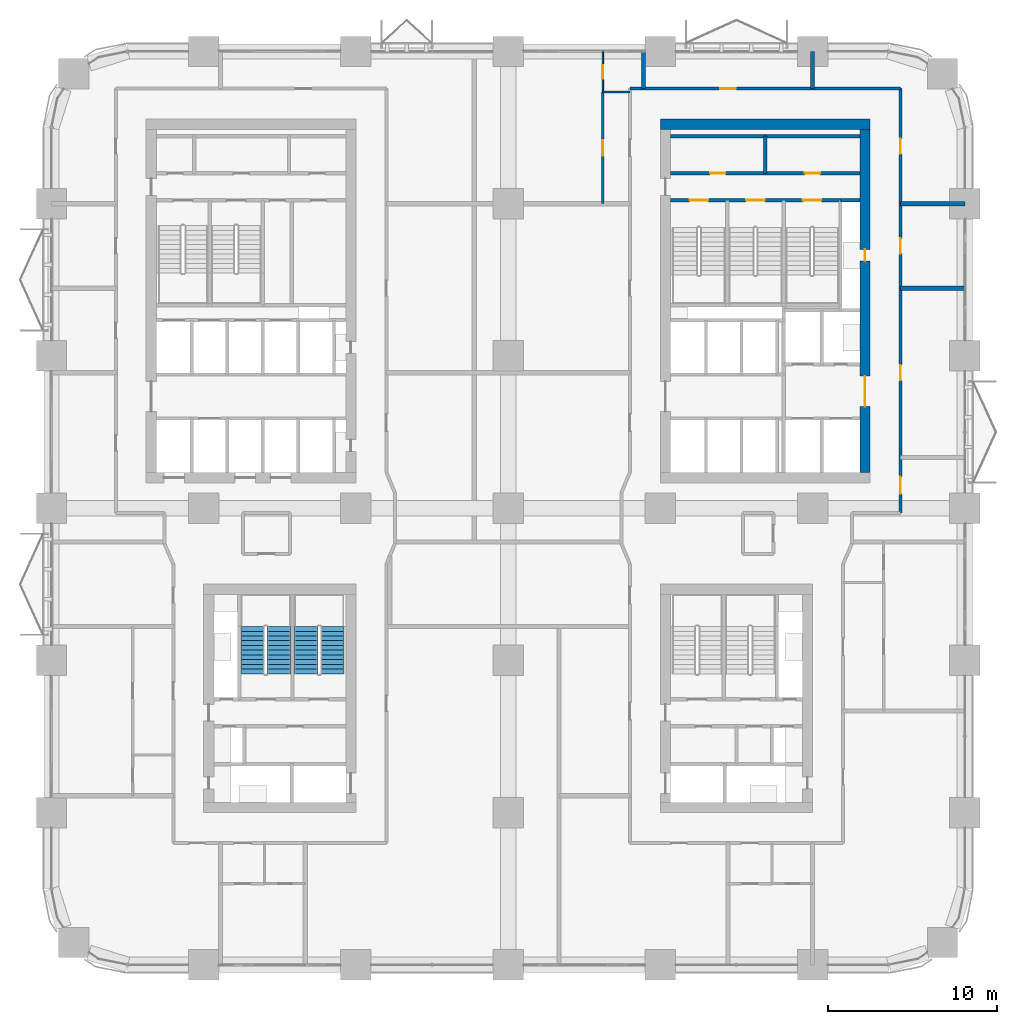
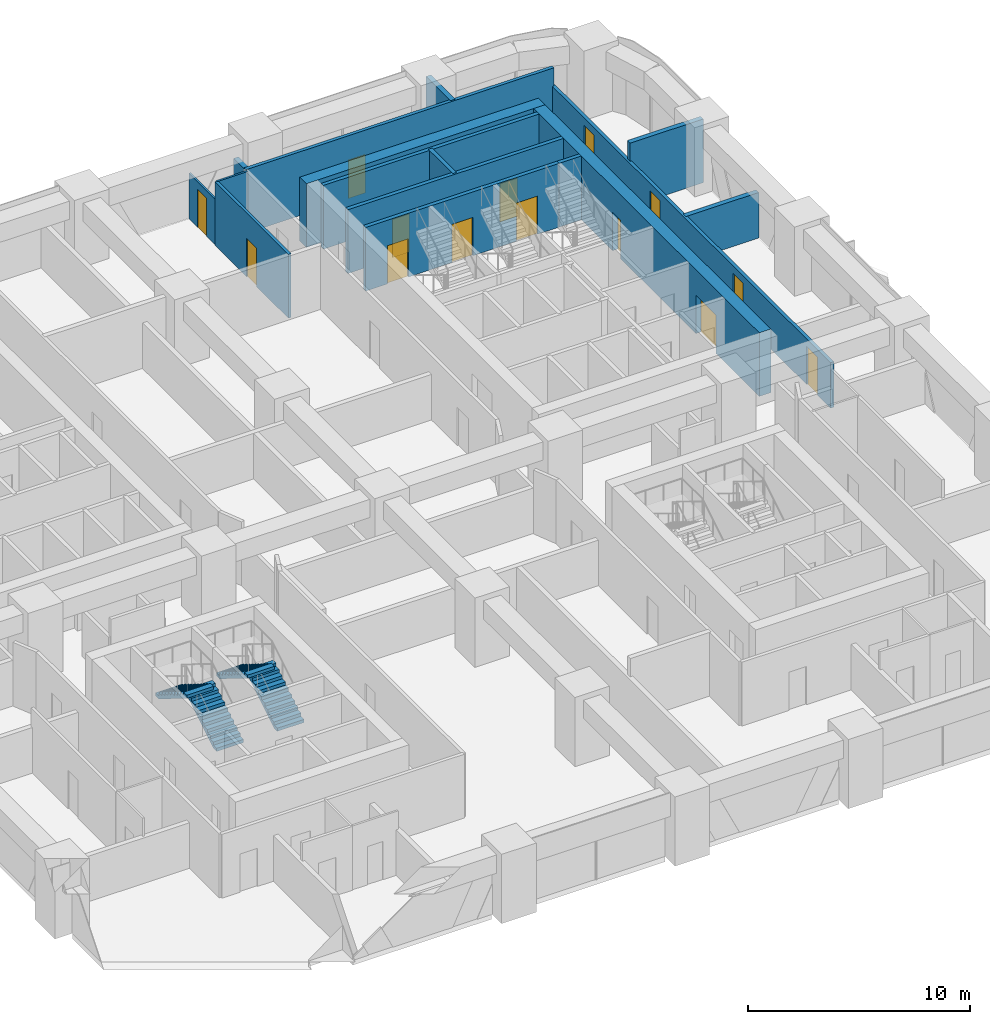
# One storey, part 17 of 21: 16 walls, 14 doors, 4 stair flights, 14 openings, 2 elements without a shape of their own.
"""IFC4 building model written with IfcOpenShell, lengths in metres."""

import ifcopenshell
import ifcopenshell.guid

model = None  # the IFC model being written
_history = None  # IfcOwnerHistory: only IFC2X3 demands one
_inside = {}  # id of a spatial element -> (the spatial element, [elements in it])
_under = {}  # id of a project, library or spatial element -> (it, [spatial elements below it])
_declared = {}  # id of a project -> (the project, [libraries it declares])
_typed = {}  # id of a type object -> (the type object, [elements of that type])
_made_of = {}  # id of a material, layer set ... -> (it, [elements and type objects made of it])


def new_model(schema):
    """Start an empty IFC model of exactly this schema.

    Asked for "IFC4X3", IfcOpenShell would pick the latest addendum, in which some entities
    have other attributes; the version numbers below select the first issue.
    IFC2X3 requires an IfcOwnerHistory on every rooted entity: one is made here for all.
    """
    global model, _history
    if schema == "IFC4X3":
        model = ifcopenshell.file(schema_version=(4, 3, 0, 0))
    else:
        model = ifcopenshell.file(schema=schema)
    _inside.clear()
    _under.clear()
    _declared.clear()
    _typed.clear()
    _made_of.clear()
    _history = None
    if model.schema == "IFC2X3":
        org = make("IfcOrganization", Name="unknown")
        user = make(
            "IfcPersonAndOrganization",
            ThePerson=make("IfcPerson", FamilyName="unknown"),
            TheOrganization=org,
        )
        app = make(
            "IfcApplication",
            ApplicationDeveloper=org,
            Version="unknown",
            ApplicationFullName="unknown",
            ApplicationIdentifier="unknown",
        )
        _history = make(
            "IfcOwnerHistory",
            OwningUser=user,
            OwningApplication=app,
            ChangeAction="ADDED",
            CreationDate=0,
        )
    return model


def make(cls, **values):
    """One entity of the class cls with the attributes given. An attribute that is None is left unset."""
    return model.create_entity(
        cls, **{name: value for name, value in values.items() if value is not None}
    )


def rooted(cls, **values):
    """An entity with a GlobalId (a new one), such as an element, a storey or a relation."""
    return make(cls, GlobalId=ifcopenshell.guid.new(), OwnerHistory=_history, **values)


def si_unit(unit_type, name, prefix=None):
    """IfcSIUnit, for example si_unit("LENGTHUNIT", "METRE", prefix="MILLI")."""
    return make("IfcSIUnit", UnitType=unit_type, Prefix=prefix, Name=name)


def assignment(units):
    """IfcUnitAssignment: the units of a project."""
    return None if units is None else make("IfcUnitAssignment", Units=units)


def point(xyz):
    """IfcCartesianPoint."""
    return None if xyz is None else make("IfcCartesianPoint", Coordinates=xyz)


def direction(xyz):
    """IfcDirection."""
    return None if xyz is None else make("IfcDirection", DirectionRatios=xyz)


def frame(location, z_axis=None, x_axis=None):
    """IfcAxis2Placement3D, a coordinate frame: its origin and axes. An axis left out is left unset."""
    return make(
        "IfcAxis2Placement3D",
        Location=point(location),
        Axis=direction(z_axis),
        RefDirection=direction(x_axis),
    )


def frame_2d(location, x_axis=None):
    """IfcAxis2Placement2D, a coordinate frame in the plane: its origin and x axis."""
    return make(
        "IfcAxis2Placement2D", Location=point(location), RefDirection=direction(x_axis)
    )


def origin():
    """The frame at (0, 0, 0) with its axes left unset."""
    return frame((0.0, 0.0, 0.0))


def place(relative_to, where):
    """IfcLocalPlacement: puts the frame where relative to a parent placement (None: the world)."""
    return make(
        "IfcLocalPlacement", PlacementRelTo=relative_to, RelativePlacement=where
    )


def context(
    kind, dimensions, precision=None, world=None, true_north=None, identifier=None
):
    """IfcGeometricRepresentationContext, for example the 3D "Model" context."""
    return make(
        "IfcGeometricRepresentationContext",
        ContextIdentifier=identifier,
        ContextType=kind,
        CoordinateSpaceDimension=dimensions,
        Precision=precision,
        WorldCoordinateSystem=world,
        TrueNorth=true_north,
    )


def subcontext(parent, identifier, kind, view, scale=None):
    """IfcGeometricRepresentationSubContext, for example "Body" below "Model"."""
    return make(
        "IfcGeometricRepresentationSubContext",
        ContextIdentifier=identifier,
        ContextType=kind,
        ParentContext=parent,
        TargetScale=scale,
        TargetView=view,
    )


def project(units=None, contexts=None):
    """IfcProject with its units and contexts."""
    return rooted(
        "IfcProject",
        Name="project",
        RepresentationContexts=contexts,
        UnitsInContext=assignment(units),
    )


def spatial(cls, under=None, at=None, **own):
    """A site, building, storey or space (cls), placed at a placement, below another one or the project."""
    s = rooted(cls, ObjectPlacement=at, **own)
    if under is not None:
        _under.setdefault(under.id(), (under, []))[1].append(s)
    return s


def polyline(points):
    """IfcPolyline through the points."""
    return make("IfcPolyline", Points=[point(p) for p in points])


def profile(cls, at=None, kind="AREA", **sizes):
    """A parametric profile (cls). Its sizes go by their IFC names, for example OverallWidth=200.0."""
    return make(cls, ProfileType=kind, Position=at, **sizes)


def rectangle(**sizes):
    """IfcRectangleProfileDef."""
    return profile("IfcRectangleProfileDef", **sizes)


def outline(outer, holes=None, kind="AREA"):
    """IfcArbitraryClosedProfileDef: a profile drawn as a closed curve; with holes, ...WithVoids."""
    if holes is None:
        return make("IfcArbitraryClosedProfileDef", ProfileType=kind, OuterCurve=outer)
    return make(
        "IfcArbitraryProfileDefWithVoids",
        ProfileType=kind,
        OuterCurve=outer,
        InnerCurves=holes,
    )


def extrude(swept, where, along, depth):
    """IfcExtrudedAreaSolid: the profile swept, set in the frame where, extruded along a direction by depth."""
    return make(
        "IfcExtrudedAreaSolid",
        SweptArea=swept,
        Position=where,
        ExtrudedDirection=direction(along),
        Depth=depth,
    )


def shape(context_of_items, identifier, shape_type, items):
    """IfcShapeRepresentation: the items that make up one representation, for example the "Body"."""
    return make(
        "IfcShapeRepresentation",
        ContextOfItems=context_of_items,
        RepresentationIdentifier=identifier,
        RepresentationType=shape_type,
        Items=items,
    )


def material(Name=None, Category=None):
    """IfcMaterial."""
    return make("IfcMaterial", Name=Name, Category=Category)


def layer(
    of_material, thickness, ventilated=None, Name=None, Category=None, Priority=None
):
    """IfcMaterialLayer: one layer of a wall or slab, of a material (None: an air gap)."""
    return make(
        "IfcMaterialLayer",
        Material=of_material,
        LayerThickness=thickness,
        IsVentilated=ventilated,
        Name=Name,
        Category=Category,
        Priority=Priority,
    )


def layer_set(layers, Name=None):
    """IfcMaterialLayerSet."""
    return make("IfcMaterialLayerSet", MaterialLayers=layers, LayerSetName=Name)


def made_of(thing, what):
    """Note that an element or type object is made of a material, layer set ...; save() writes the relation."""
    if what is not None:
        _made_of.setdefault(what.id(), (what, []))[1].append(thing)
    return thing


def type_object(cls, material=None, **own):
    """A type object (cls), such as IfcWallType, which elements share."""
    return made_of(rooted(cls, **own), material)


def element(
    cls,
    number,
    at=None,
    inside=None,
    cuts=None,
    type_object=None,
    material=None,
    context=None,
    identifier="Body",
    shape_type=None,
    held_by="IfcProductDefinitionShape",
    body=None,
    shapes=None,
    **own,
):
    """One element of the class cls, such as IfcWall. Its Tag is "e" and its number.

    at: its placement. inside: the storey or other place that contains it. cuts: it is an
    opening in that element (IfcRelVoidsElement). A single representation is given by context,
    identifier, shape_type and body (its items); several are given by shapes. held_by: the class
    of the entity that holds the representations. save() writes the other relations.
    """
    e = rooted(cls, Tag="e%d" % number, ObjectPlacement=at, **own)
    if body is not None:
        shapes = [shape(context, identifier, shape_type, body)]
    if shapes is not None:
        e.Representation = make(held_by, Representations=shapes)
    if inside is not None:
        _inside.setdefault(inside.id(), (inside, []))[1].append(e)
    if cuts is not None:
        rooted(
            "IfcRelVoidsElement", RelatingBuildingElement=cuts, RelatedOpeningElement=e
        )
    if type_object is not None:
        _typed.setdefault(type_object.id(), (type_object, []))[1].append(e)
    return made_of(e, material)


def fill(opening, filler):
    """IfcRelFillsElement: the door or window that sits in an opening."""
    return rooted(
        "IfcRelFillsElement",
        RelatingOpeningElement=opening,
        RelatedBuildingElement=filler,
    )


def aggregate(whole, parts):
    """IfcRelAggregates: a whole, such as a stair, and the parts it consists of."""
    return rooted("IfcRelAggregates", RelatingObject=whole, RelatedObjects=parts)


def save(model, path):
    """Write the relations noted so far, then the file.

    IfcRelAggregates (storeys below a building ...), IfcRelContainedInSpatialStructure (elements
    in a storey), IfcRelDefinesByType, IfcRelAssociatesMaterial and IfcRelDeclares: one each for
    every whole, place, type object, material and project.
    """
    for whole, parts in _under.values():
        aggregate(whole, parts)
    for where, things in _inside.values():
        rooted(
            "IfcRelContainedInSpatialStructure",
            RelatedElements=things,
            RelatingStructure=where,
        )
    for kind, things in _typed.values():
        rooted("IfcRelDefinesByType", RelatedObjects=things, RelatingType=kind)
    for what, things in _made_of.values():
        rooted("IfcRelAssociatesMaterial", RelatedObjects=things, RelatingMaterial=what)
    for by, libraries in _declared.values():
        rooted("IfcRelDeclares", RelatingContext=by, RelatedDefinitions=libraries)
    model.write(path)


model = new_model("IFC4")

# Units and contexts
model_context = context("Model", 3, precision=1e-05, world=origin(), true_north=direction((0.0, 1.0)))
body_context = subcontext(model_context, "Body", "Model", "MODEL_VIEW")
ifc_project = project(units=[si_unit("LENGTHUNIT", "METRE"), si_unit("AREAUNIT", "SQUARE_METRE"), si_unit("VOLUMEUNIT", "CUBIC_METRE"), si_unit("PLANEANGLEUNIT", "RADIAN"), si_unit("MASSUNIT", "GRAM", prefix="KILO")], contexts=[model_context])

# Site, building, storey
site_placement = place(None, origin())
site = spatial("IfcSite", under=ifc_project, at=site_placement, CompositionType="ELEMENT")
building_placement = place(site_placement, origin())
building = spatial("IfcBuilding", under=site, at=building_placement, Name="Tessera Arch", CompositionType="ELEMENT")
storey_placement = place(building_placement, frame((0.0, 0.0, 42.39990234375)))
storey = spatial("IfcBuildingStorey", under=building, at=storey_placement, Name="L08", CompositionType="ELEMENT", Elevation=42.39990234375)

# Wall
ifc_material_1 = material(Name="Gypsum board on steel stud", Category="steel")
ifc_layer_1 = layer(ifc_material_1, 0.125)
ifc_layer_set_1 = layer_set([ifc_layer_1], Name="Core partition 125 EI 60")
wall_type_1 = type_object("IfcWallType", Name="Core partition 125 EI 60", PredefinedType="PARTITIONING", material=ifc_layer_set_1)
wall_1_placement = place(storey_placement, frame((42.199951171875, 46.800048828125, 0.0), z_axis=(0.0, 0.0, 1.0), x_axis=(0.0, 1.0, 0.0)))
element("IfcWall", 1, at=wall_1_placement, inside=storey, type_object=wall_type_1, Name="L08 C1 partition wall 7", PredefinedType="PARTITIONING", context=body_context, shape_type="SweptSolid", body=[
    extrude(rectangle(XDim=2.199951171875, YDim=0.199951171875, at=frame_2d((1.10009765625, 0.0))), origin(), (0.0, 0.0, 1.0), 3.5),
])

# Wall, openings, doors
wall_2_placement = place(storey_placement, frame((36.60009765625, 46.800048828125, 0.0), z_axis=(0.0, 0.0, 1.0), x_axis=(1.0, 0.0, 0.0)))
wall_2 = element("IfcWall", 2, at=wall_2_placement, inside=storey, type_object=wall_type_1, Name="L08 C1 partition wall 31", PredefinedType="PARTITIONING", context=body_context, shape_type="SweptSolid", body=[
    extrude(rectangle(XDim=11.199951171875, YDim=0.199951171875, at=frame_2d((5.60009765625, 0.0))), origin(), (0.0, 0.0, 1.0), 3.5),
])
opening_1_placement = place(wall_2_placement, frame((2.35009765625, 0.0, 0.0)))
opening_1 = element("IfcOpeningElement", 3, at=opening_1_placement, cuts=wall_2, Name="Opening L08-C12", PredefinedType="OPENING", context=body_context, shape_type="SweptSolid", body=[
    extrude(rectangle(XDim=0.89990234375, YDim=2.10009765625, at=frame_2d((0.449951171875, 1.050048828125))), frame((0.0, 0.10986328125, 0.0), z_axis=(0.0, -1.0, 0.0), x_axis=(1.0, 0.0, 0.0)), (0.0, 0.0, 1.0), 0.219970703125),
])
opening_2_placement = place(wall_2_placement, frame((7.949951171875, 0.0, 0.0)))
opening_2 = element("IfcOpeningElement", 4, at=opening_2_placement, cuts=wall_2, Name="Opening L08-C13", PredefinedType="OPENING", context=body_context, shape_type="SweptSolid", body=[
    extrude(rectangle(XDim=0.89990234375, YDim=2.10009765625, at=frame_2d((0.449951171875, 1.050048828125))), frame((0.0, 0.10986328125, 0.0), z_axis=(0.0, -1.0, 0.0), x_axis=(1.0, 0.0, 0.0)), (0.0, 0.0, 1.0), 0.219970703125),
])
ifc_material_2 = material(Name="Steel door leaf", Category="steel")
door_type_1 = type_object("IfcDoorType", Name="Store door FD30S 900 x 2100", OperationType="SINGLE_SWING_LEFT", PredefinedType="DOOR", material=ifc_material_2)
door_1_placement = place(opening_1_placement, origin())
door_1 = element("IfcDoor", 5, at=door_1_placement, inside=storey, type_object=door_type_1, Name="L08 C1 door 12 C12 type D09", OperationType="SINGLE_SWING_LEFT", OverallHeight=2.10009765625, OverallWidth=0.89990234375, PredefinedType="DOOR", context=body_context, shape_type="SweptSolid", body=[
    extrude(rectangle(XDim=0.89990234375, YDim=2.10009765625, at=frame_2d((0.449951171875, 1.050048828125))), frame((0.0, 0.02490234375, 0.0), z_axis=(0.0, -1.0, 0.0), x_axis=(1.0, 0.0, 0.0)), (0.0, 0.0, 1.0), 0.050048828125),
])
fill(opening_1, door_1)
door_2_placement = place(opening_2_placement, origin())
door_2 = element("IfcDoor", 6, at=door_2_placement, inside=storey, type_object=door_type_1, Name="L08 C1 door 13 C13 type D09", OperationType="SINGLE_SWING_RIGHT", OverallHeight=2.10009765625, OverallWidth=0.89990234375, PredefinedType="DOOR", context=body_context, shape_type="SweptSolid", body=[
    extrude(rectangle(XDim=0.89990234375, YDim=2.10009765625, at=frame_2d((0.449951171875, 1.050048828125))), frame((0.0, 0.02490234375, 0.0), z_axis=(0.0, -1.0, 0.0), x_axis=(1.0, 0.0, 0.0)), (0.0, 0.0, 1.0), 0.050048828125),
])
fill(opening_2, door_2)

# Walls
wall_3_placement = place(storey_placement, frame((36.60009765625, 49.0, 0.0), z_axis=(0.0, 0.0, 1.0), x_axis=(1.0, 0.0, 0.0)))
element("IfcWall", 7, at=wall_3_placement, inside=storey, type_object=wall_type_1, Name="L08 C1 partition wall 32", PredefinedType="PARTITIONING", context=body_context, shape_type="SweptSolid", body=[
    extrude(rectangle(XDim=11.199951171875, YDim=0.199951171875, at=frame_2d((5.60009765625, 0.0))), origin(), (0.0, 0.0, 1.0), 3.5),
])
ifc_material_3 = material(Name="Concrete C70/85", Category="concrete")
ifc_layer_2 = layer(ifc_material_3, 0.60009765625)
ifc_layer_set_2 = layer_set([ifc_layer_2], Name="Core shell wall 600 C70-85")
wall_type_2 = type_object("IfcWallType", Name="Core shell wall 600 C70-85", PredefinedType="SHEAR", material=ifc_layer_set_2)
wall_4_placement = place(storey_placement, frame((36.0, 49.699951171875, 0.0), z_axis=(0.0, 0.0, 1.0), x_axis=(1.0, 0.0, 0.0)))
element("IfcWall", 8, at=wall_4_placement, inside=storey, type_object=wall_type_2, Name="L08 C1 core wall N", PredefinedType="SHEAR", context=body_context, shape_type="SweptSolid", body=[
    extrude(rectangle(XDim=12.39990234375, YDim=0.60009765625, at=frame_2d((6.199951171875, 0.0))), origin(), (0.0, 0.0, 1.0), 3.5),
])

# Wall, openings, doors
wall_5_placement = place(storey_placement, frame((48.10009765625, 29.10009765625, 0.0), z_axis=(0.0, 0.0, 1.0), x_axis=(0.0, 1.0, 0.0)))
wall_5 = element("IfcWall", 9, at=wall_5_placement, inside=storey, type_object=wall_type_2, Name="L08 C1 core wall E", PredefinedType="SHEAR", context=body_context, shape_type="SweptSolid", body=[
    extrude(rectangle(XDim=20.2998046875, YDim=0.60009765625, at=frame_2d((10.14990234375, 0.0))), origin(), (0.0, 0.0, 1.0), 3.5),
])
opening_3_placement = place(wall_5_placement, frame((12.5, 0.0, 0.0)))
opening_3 = element("IfcOpeningElement", 10, at=opening_3_placement, cuts=wall_5, Name="Opening L08-C08", PredefinedType="OPENING", context=body_context, shape_type="SweptSolid", body=[
    extrude(rectangle(XDim=0.699951171875, YDim=2.10009765625, at=frame_2d((0.35009765625, 1.050048828125))), frame((0.0, 0.31005859375, 0.0), z_axis=(0.0, -1.0, 0.0), x_axis=(1.0, 0.0, 0.0)), (0.0, 0.0, 1.0), 0.6201171875),
])
opening_4_placement = place(wall_5_placement, frame((3.89990234375, 0.0, 0.0)))
opening_4 = element("IfcOpeningElement", 11, at=opening_4_placement, cuts=wall_5, Name="Opening L08-C09", PredefinedType="OPENING", context=body_context, shape_type="SweptSolid", body=[
    extrude(rectangle(XDim=1.800048828125, YDim=2.10009765625, at=frame_2d((0.89990234375, 1.050048828125))), frame((0.0, 0.31005859375, 0.0), z_axis=(0.0, -1.0, 0.0), x_axis=(1.0, 0.0, 0.0)), (0.0, 0.0, 1.0), 0.6201171875),
])
ifc_material_4 = material(Name="Glazed steel door leaf", Category="steel")
door_type_2 = type_object("IfcDoorType", Name="Lobby double door FD60 1800 x 2100", OperationType="DOUBLE_DOOR_SINGLE_SWING", PredefinedType="DOOR", material=ifc_material_4)
door_3_placement = place(opening_4_placement, origin())
door_3 = element("IfcDoor", 12, at=door_3_placement, inside=storey, type_object=door_type_2, Name="L08 C1 door 9 C09 type D19", OperationType="DOUBLE_DOOR_SINGLE_SWING", OverallHeight=2.10009765625, OverallWidth=1.800048828125, PredefinedType="DOOR", context=body_context, shape_type="SweptSolid", body=[
    extrude(rectangle(XDim=1.800048828125, YDim=2.10009765625, at=frame_2d((0.89990234375, 1.050048828125))), frame((0.0, 0.02490234375, 0.0), z_axis=(0.0, -1.0, 0.0), x_axis=(1.0, 0.0, 0.0)), (0.0, 0.0, 1.0), 0.050048828125),
])
fill(opening_4, door_3)
ifc_material_5 = material(Name="Steel door leaf", Category="steel")
door_type_3 = type_object("IfcDoorType", Name="Service shaft door FD60 700 x 2100", OperationType="SINGLE_SWING_LEFT", PredefinedType="DOOR", material=ifc_material_5)
door_4_placement = place(opening_3_placement, origin())
door_4 = element("IfcDoor", 13, at=door_4_placement, inside=storey, type_object=door_type_3, Name="L08 C1 door 8 C08 type D07", OperationType="SINGLE_SWING_RIGHT", OverallHeight=2.10009765625, OverallWidth=0.699951171875, PredefinedType="DOOR", context=body_context, shape_type="SweptSolid", body=[
    extrude(rectangle(XDim=0.699951171875, YDim=2.10009765625, at=frame_2d((0.35009765625, 1.050048828125))), frame((0.0, 0.02490234375, 0.0), z_axis=(0.0, -1.0, 0.0), x_axis=(1.0, 0.0, 0.0)), (0.0, 0.0, 1.0), 0.050048828125),
])
fill(opening_3, door_4)

# Wall, opening, door
ifc_material_6 = material(Name="Gypsum board on deep steel stud with mineral wool", Category="steel")
ifc_layer_3 = layer(ifc_material_6, 0.175048828125)
ifc_layer_set_3 = layer_set([ifc_layer_3], Name="Corridor wall 175 EI 60")
wall_type_3 = type_object("IfcWallType", Name="Corridor wall 175 EI 60", PredefinedType="PARTITIONING", material=ifc_layer_set_3)
wall_6_placement = place(storey_placement, frame((34.199951171875, 51.800048828125, 0.0), z_axis=(0.0, 0.0, 1.0), x_axis=(1.0, 0.0, 0.0)))
wall_6 = element("IfcWall", 14, at=wall_6_placement, inside=storey, type_object=wall_type_3, Name="L08 partition 10", PredefinedType="PARTITIONING", context=body_context, shape_type="SweptSolid", body=[
    extrude(rectangle(XDim=16.0, YDim=0.175048828125, at=frame_2d((8.0, 0.0))), origin(), (0.0, 0.0, 1.0), 3.5),
])
opening_5_placement = place(wall_6_placement, frame((5.35009765625, 0.0, 0.0)))
opening_5 = element("IfcOpeningElement", 15, at=opening_5_placement, cuts=wall_6, Name="Opening L08-D038", PredefinedType="OPENING", context=body_context, shape_type="SweptSolid", body=[
    extrude(rectangle(XDim=0.89990234375, YDim=2.10009765625, at=frame_2d((0.449951171875, 1.050048828125))), frame((0.0, 0.097412109375, 0.0), z_axis=(0.0, -1.0, 0.0), x_axis=(1.0, 0.0, 0.0)), (0.0, 0.0, 1.0), 0.195068359375),
])
ifc_material_7 = material(Name="Timber door leaf", Category="wood")
door_type_4 = type_object("IfcDoorType", Name="Room door 900 x 2100", OperationType="SINGLE_SWING_LEFT", PredefinedType="DOOR", material=ifc_material_7)
door_5_placement = place(opening_5_placement, origin())
door_5 = element("IfcDoor", 16, at=door_5_placement, inside=storey, type_object=door_type_4, Name="L08 door D038 type D01", OperationType="SINGLE_SWING_RIGHT", OverallHeight=2.10009765625, OverallWidth=0.89990234375, PredefinedType="DOOR", context=body_context, shape_type="SweptSolid", body=[
    extrude(rectangle(XDim=0.89990234375, YDim=2.10009765625, at=frame_2d((0.449951171875, 1.050048828125))), frame((0.0, 0.02490234375, 0.0), z_axis=(0.0, -1.0, 0.0), x_axis=(1.0, 0.0, 0.0)), (0.0, 0.0, 1.0), 0.050048828125),
])
fill(opening_5, door_5)

# Wall, openings, doors
wall_7_placement = place(storey_placement, frame((50.199951171875, 26.699951171875, 0.0), z_axis=(0.0, 0.0, 1.0), x_axis=(0.0, 1.0, 0.0)))
wall_7 = element("IfcWall", 17, at=wall_7_placement, inside=storey, type_object=wall_type_3, Name="L08 partition 26", PredefinedType="PARTITIONING", context=body_context, shape_type="SweptSolid", body=[
    extrude(rectangle(XDim=25.10009765625, YDim=0.175048828125, at=frame_2d((12.550048828125, 0.0))), origin(), (0.0, 0.0, 1.0), 2.5),
])
opening_6_placement = place(wall_7_placement, frame((1.14990234375, 0.0, 0.0)))
opening_6 = element("IfcOpeningElement", 18, at=opening_6_placement, cuts=wall_7, Name="Opening L08-D022", PredefinedType="OPENING", context=body_context, shape_type="SweptSolid", body=[
    extrude(rectangle(XDim=1.0, YDim=2.10009765625, at=frame_2d((0.5, 1.050048828125))), frame((0.0, 0.097412109375, 0.0), z_axis=(0.0, -1.0, 0.0), x_axis=(1.0, 0.0, 0.0)), (0.0, 0.0, 1.0), 0.195068359375),
])
opening_7_placement = place(wall_7_placement, frame((7.85009765625, 0.0, 0.0)))
opening_7 = element("IfcOpeningElement", 19, at=opening_7_placement, cuts=wall_7, Name="Opening L08-D026", PredefinedType="OPENING", context=body_context, shape_type="SweptSolid", body=[
    extrude(rectangle(XDim=0.89990234375, YDim=2.10009765625, at=frame_2d((0.449951171875, 1.050048828125))), frame((0.0, 0.097412109375, 0.0), z_axis=(0.0, -1.0, 0.0), x_axis=(1.0, 0.0, 0.0)), (0.0, 0.0, 1.0), 0.195068359375),
])
opening_8_placement = place(wall_7_placement, frame((15.35009765625, 0.0, 0.0)))
opening_8 = element("IfcOpeningElement", 20, at=opening_8_placement, cuts=wall_7, Name="Opening L08-D031", PredefinedType="OPENING", context=body_context, shape_type="SweptSolid", body=[
    extrude(rectangle(XDim=0.89990234375, YDim=2.10009765625, at=frame_2d((0.449951171875, 1.050048828125))), frame((0.0, 0.097412109375, 0.0), z_axis=(0.0, -1.0, 0.0), x_axis=(1.0, 0.0, 0.0)), (0.0, 0.0, 1.0), 0.195068359375),
])
opening_9_placement = place(wall_7_placement, frame((21.25, 0.0, 0.0)))
opening_9 = element("IfcOpeningElement", 21, at=opening_9_placement, cuts=wall_7, Name="Opening L08-D035", PredefinedType="OPENING", context=body_context, shape_type="SweptSolid", body=[
    extrude(rectangle(XDim=0.89990234375, YDim=2.10009765625, at=frame_2d((0.449951171875, 1.050048828125))), frame((0.0, 0.097412109375, 0.0), z_axis=(0.0, -1.0, 0.0), x_axis=(1.0, 0.0, 0.0)), (0.0, 0.0, 1.0), 0.195068359375),
])
ifc_material_8 = material(Name="Fire-rated door leaf")
door_type_5 = type_object("IfcDoorType", Name="Entrance door FD30S 1000 x 2100", OperationType="SINGLE_SWING_LEFT", PredefinedType="DOOR", material=ifc_material_8)
door_6_placement = place(opening_6_placement, origin())
door_6 = element("IfcDoor", 22, at=door_6_placement, inside=storey, type_object=door_type_5, Name="L08 door D022 type D03", OperationType="SINGLE_SWING_LEFT", OverallHeight=2.10009765625, OverallWidth=1.0, PredefinedType="DOOR", context=body_context, shape_type="SweptSolid", body=[
    extrude(rectangle(XDim=1.0, YDim=2.10009765625, at=frame_2d((0.5, 1.050048828125))), frame((0.0, 0.02490234375, 0.0), z_axis=(0.0, -1.0, 0.0), x_axis=(1.0, 0.0, 0.0)), (0.0, 0.0, 1.0), 0.050048828125),
])
fill(opening_6, door_6)
door_7_placement = place(opening_7_placement, origin())
door_7 = element("IfcDoor", 23, at=door_7_placement, inside=storey, type_object=door_type_4, Name="L08 door D026 type D01", OperationType="SINGLE_SWING_LEFT", OverallHeight=2.10009765625, OverallWidth=0.89990234375, PredefinedType="DOOR", context=body_context, shape_type="SweptSolid", body=[
    extrude(rectangle(XDim=0.89990234375, YDim=2.10009765625, at=frame_2d((0.449951171875, 1.050048828125))), frame((0.0, 0.02490234375, 0.0), z_axis=(0.0, -1.0, 0.0), x_axis=(1.0, 0.0, 0.0)), (0.0, 0.0, 1.0), 0.050048828125),
])
fill(opening_7, door_7)
door_8_placement = place(opening_8_placement, origin())
door_8 = element("IfcDoor", 24, at=door_8_placement, inside=storey, type_object=door_type_4, Name="L08 door D031 type D01", OperationType="SINGLE_SWING_RIGHT", OverallHeight=2.10009765625, OverallWidth=0.89990234375, PredefinedType="DOOR", context=body_context, shape_type="SweptSolid", body=[
    extrude(rectangle(XDim=0.89990234375, YDim=2.10009765625, at=frame_2d((0.449951171875, 1.050048828125))), frame((0.0, 0.02490234375, 0.0), z_axis=(0.0, -1.0, 0.0), x_axis=(1.0, 0.0, 0.0)), (0.0, 0.0, 1.0), 0.050048828125),
])
fill(opening_8, door_8)
door_9_placement = place(opening_9_placement, origin())
door_9 = element("IfcDoor", 25, at=door_9_placement, inside=storey, type_object=door_type_4, Name="L08 door D035 type D01", OperationType="SINGLE_SWING_RIGHT", OverallHeight=2.10009765625, OverallWidth=0.89990234375, PredefinedType="DOOR", context=body_context, shape_type="SweptSolid", body=[
    extrude(rectangle(XDim=0.89990234375, YDim=2.10009765625, at=frame_2d((0.449951171875, 1.050048828125))), frame((0.0, 0.02490234375, 0.0), z_axis=(0.0, -1.0, 0.0), x_axis=(1.0, 0.0, 0.0)), (0.0, 0.0, 1.0), 0.050048828125),
])
fill(opening_9, door_9)

# Wall, opening, door
ifc_material_9 = material(Name="Gypsum board on steel stud", Category="steel")
ifc_layer_4 = layer(ifc_material_9, 0.14990234375)
ifc_layer_set_4 = layer_set([ifc_layer_4], Name="Partition 150")
wall_type_4 = type_object("IfcWallType", Name="Partition 150", PredefinedType="PARTITIONING", material=ifc_layer_set_4)
wall_8_placement = place(storey_placement, frame((32.60009765625, 45.0, 0.0), z_axis=(0.0, 0.0, 1.0), x_axis=(0.0, 1.0, 0.0)))
wall_8 = element("IfcWall", 26, at=wall_8_placement, inside=storey, type_object=wall_type_4, Name="L08 partition 30", PredefinedType="PARTITIONING", context=body_context, shape_type="SweptSolid", body=[
    extrude(rectangle(XDim=6.60009765625, YDim=0.14990234375, at=frame_2d((3.300048828125, 0.0))), origin(), (0.0, 0.0, 1.0), 3.5),
])
opening_10_placement = place(wall_8_placement, frame((2.85009765625, 0.0, 0.0)))
opening_10 = element("IfcOpeningElement", 27, at=opening_10_placement, cuts=wall_8, Name="Opening L08-D033", PredefinedType="OPENING", context=body_context, shape_type="SweptSolid", body=[
    extrude(rectangle(XDim=0.89990234375, YDim=2.10009765625, at=frame_2d((0.449951171875, 1.050048828125))), frame((0.0, 0.0849609375, 0.0), z_axis=(0.0, -1.0, 0.0), x_axis=(1.0, 0.0, 0.0)), (0.0, 0.0, 1.0), 0.169921875),
])
door_10_placement = place(opening_10_placement, origin())
door_10 = element("IfcDoor", 28, at=door_10_placement, inside=storey, type_object=door_type_4, Name="L08 door D033 type D01", OperationType="SINGLE_SWING_LEFT", OverallHeight=2.10009765625, OverallWidth=0.89990234375, PredefinedType="DOOR", context=body_context, shape_type="SweptSolid", body=[
    extrude(rectangle(XDim=0.89990234375, YDim=2.10009765625, at=frame_2d((0.449951171875, 1.050048828125))), frame((0.0, 0.02490234375, 0.0), z_axis=(0.0, -1.0, 0.0), x_axis=(1.0, 0.0, 0.0)), (0.0, 0.0, 1.0), 0.050048828125),
])
fill(opening_10, door_10)

# Walls
ifc_material_10 = material(Name="Double gypsum board on twin steel stud with acoustic mineral wool", Category="steel")
ifc_layer_5 = layer(ifc_material_10, 0.25)
ifc_layer_set_5 = layer_set([ifc_layer_5], Name="Party wall 250 EI 60")
wall_type_5 = type_object("IfcWallType", Name="Party wall 250 EI 60", PredefinedType="PARTITIONING", material=ifc_layer_set_5)
wall_9_placement = place(storey_placement, frame((50.199951171875, 40.0, 0.0), z_axis=(0.0, 0.0, 1.0), x_axis=(1.0, 0.0, 0.0)))
element("IfcWall", 29, at=wall_9_placement, inside=storey, type_object=wall_type_5, Name="L08 partition 44", PredefinedType="PARTITIONING", context=body_context, shape_type="SweptSolid", body=[
    extrude(rectangle(XDim=3.800048828125, YDim=0.25, at=frame_2d((1.89990234375, 0.0))), origin(), (0.0, 0.0, 1.0), 2.5),
])
wall_10_placement = place(storey_placement, frame((50.199951171875, 45.0, 0.0), z_axis=(0.0, 0.0, 1.0), x_axis=(1.0, 0.0, 0.0)))
element("IfcWall", 30, at=wall_10_placement, inside=storey, type_object=wall_type_5, Name="L08 partition 47", PredefinedType="PARTITIONING", context=body_context, shape_type="SweptSolid", body=[
    extrude(rectangle(XDim=3.800048828125, YDim=0.25, at=frame_2d((1.89990234375, 0.0))), origin(), (0.0, 0.0, 1.0), 3.5),
])
wall_11_placement = place(storey_placement, frame((35.0, 51.800048828125, 0.0), z_axis=(0.0, 0.0, 1.0), x_axis=(0.0, 1.0, 0.0)))
element("IfcWall", 31, at=wall_11_placement, inside=storey, type_object=wall_type_5, Name="L08 partition 54", PredefinedType="PARTITIONING", context=body_context, shape_type="SweptSolid", body=[
    extrude(rectangle(XDim=2.199951171875, YDim=0.25, at=frame_2d((1.10009765625, 0.0))), origin(), (0.0, 0.0, 1.0), 2.5),
])
wall_12_placement = place(storey_placement, frame((45.0, 51.800048828125, 0.0), z_axis=(0.0, 0.0, 1.0), x_axis=(0.0, 1.0, 0.0)))
element("IfcWall", 32, at=wall_12_placement, inside=storey, type_object=wall_type_5, Name="L08 partition 57", PredefinedType="PARTITIONING", context=body_context, shape_type="SweptSolid", body=[
    extrude(rectangle(XDim=2.199951171875, YDim=0.25, at=frame_2d((1.10009765625, 0.0))), origin(), (0.0, 0.0, 1.0), 3.5),
])
ifc_material_11 = material(Name="Concrete C40/50", Category="concrete")
ifc_layer_6 = layer(ifc_material_11, 0.199951171875)
ifc_layer_set_6 = layer_set([ifc_layer_6], Name="Shaft wall 200 EI 120")
wall_type_6 = type_object("IfcWallType", Name="Shaft wall 200 EI 120", PredefinedType="SOLIDWALL", material=ifc_layer_set_6)
wall_13_placement = place(storey_placement, frame((46.64990234375, 45.199951171875, 0.0), z_axis=(0.0, 0.0, 1.0), x_axis=(1.0, 0.0, 0.0)))
element("IfcWall", 33, at=wall_13_placement, inside=storey, type_object=wall_type_6, Name="L08 C1 shaft wall 29", PredefinedType="SOLIDWALL", context=body_context, shape_type="SweptSolid", body=[
    extrude(rectangle(XDim=1.150146484375, YDim=0.199951171875, at=frame_2d((0.5751953125, 0.0))), origin(), (0.0, 0.0, 1.0), 3.5),
])

# Wall, openings, doors
ifc_material_12 = material(Name="Concrete C40/50", Category="concrete")
ifc_layer_7 = layer(ifc_material_12, 0.199951171875)
ifc_layer_set_7 = layer_set([ifc_layer_7], Name="Stair well wall 200 REI 180")
wall_type_7 = type_object("IfcWallType", Name="Stair well wall 200 REI 180", PredefinedType="SOLIDWALL", material=ifc_layer_set_7)
wall_14_placement = place(storey_placement, frame((36.60009765625, 45.199951171875, 0.0), z_axis=(0.0, 0.0, 1.0), x_axis=(1.0, 0.0, 0.0)))
wall_14 = element("IfcWall", 34, at=wall_14_placement, inside=storey, type_object=wall_type_7, Name="L08 C1 shaft wall 30", PredefinedType="SOLIDWALL", context=body_context, shape_type="SweptSolid", body=[
    extrude(rectangle(XDim=10.0498046875, YDim=0.199951171875, at=frame_2d((5.02490234375, 0.0))), origin(), (0.0, 0.0, 1.0), 3.5),
])
opening_11_placement = place(wall_14_placement, frame((1.125, 0.0, 0.0)))
opening_11 = element("IfcOpeningElement", 35, at=opening_11_placement, cuts=wall_14, Name="Opening L08-C05", PredefinedType="OPENING", context=body_context, shape_type="SweptSolid", body=[
    extrude(rectangle(XDim=1.10009765625, YDim=2.10009765625, at=frame_2d((0.550048828125, 1.050048828125))), frame((0.0, 0.10986328125, 0.0), z_axis=(0.0, -1.0, 0.0), x_axis=(1.0, 0.0, 0.0)), (0.0, 0.0, 1.0), 0.219970703125),
])
opening_12_placement = place(wall_14_placement, frame((4.47509765625, 0.0, 0.0)))
opening_12 = element("IfcOpeningElement", 36, at=opening_12_placement, cuts=wall_14, Name="Opening L08-C06", PredefinedType="OPENING", context=body_context, shape_type="SweptSolid", body=[
    extrude(rectangle(XDim=1.10009765625, YDim=2.10009765625, at=frame_2d((0.550048828125, 1.050048828125))), frame((0.0, 0.10986328125, 0.0), z_axis=(0.0, -1.0, 0.0), x_axis=(1.0, 0.0, 0.0)), (0.0, 0.0, 1.0), 0.219970703125),
])
opening_13_placement = place(wall_14_placement, frame((7.824951171875, 0.0, 0.0)))
opening_13 = element("IfcOpeningElement", 37, at=opening_13_placement, cuts=wall_14, Name="Opening L08-C07", PredefinedType="OPENING", context=body_context, shape_type="SweptSolid", body=[
    extrude(rectangle(XDim=1.10009765625, YDim=2.10009765625, at=frame_2d((0.550048828125, 1.050048828125))), frame((0.0, 0.10986328125, 0.0), z_axis=(0.0, -1.0, 0.0), x_axis=(1.0, 0.0, 0.0)), (0.0, 0.0, 1.0), 0.219970703125),
])
ifc_material_13 = material(Name="Steel door leaf", Category="steel")
door_type_6 = type_object("IfcDoorType", Name="Stair door FD60 1100 x 2100", OperationType="SINGLE_SWING_LEFT", PredefinedType="DOOR", material=ifc_material_13)
door_11_placement = place(opening_11_placement, origin())
door_11 = element("IfcDoor", 38, at=door_11_placement, inside=storey, type_object=door_type_6, Name="L08 C1 door 5 C05 type D05", OperationType="SINGLE_SWING_LEFT", OverallHeight=2.10009765625, OverallWidth=1.10009765625, PredefinedType="DOOR", context=body_context, shape_type="SweptSolid", body=[
    extrude(rectangle(XDim=1.10009765625, YDim=2.10009765625, at=frame_2d((0.550048828125, 1.050048828125))), frame((0.0, 0.02490234375, 0.0), z_axis=(0.0, -1.0, 0.0), x_axis=(1.0, 0.0, 0.0)), (0.0, 0.0, 1.0), 0.050048828125),
])
fill(opening_11, door_11)
door_12_placement = place(opening_12_placement, origin())
door_12 = element("IfcDoor", 39, at=door_12_placement, inside=storey, type_object=door_type_6, Name="L08 C1 door 6 C06 type D05", OperationType="SINGLE_SWING_RIGHT", OverallHeight=2.10009765625, OverallWidth=1.10009765625, PredefinedType="DOOR", context=body_context, shape_type="SweptSolid", body=[
    extrude(rectangle(XDim=1.10009765625, YDim=2.10009765625, at=frame_2d((0.550048828125, 1.050048828125))), frame((0.0, 0.02490234375, 0.0), z_axis=(0.0, -1.0, 0.0), x_axis=(1.0, 0.0, 0.0)), (0.0, 0.0, 1.0), 0.050048828125),
])
fill(opening_12, door_12)
door_13_placement = place(opening_13_placement, origin())
door_13 = element("IfcDoor", 40, at=door_13_placement, inside=storey, type_object=door_type_6, Name="L08 C1 door 7 C07 type D05", OperationType="SINGLE_SWING_RIGHT", OverallHeight=2.10009765625, OverallWidth=1.10009765625, PredefinedType="DOOR", context=body_context, shape_type="SweptSolid", body=[
    extrude(rectangle(XDim=1.10009765625, YDim=2.10009765625, at=frame_2d((0.550048828125, 1.050048828125))), frame((0.0, 0.02490234375, 0.0), z_axis=(0.0, -1.0, 0.0), x_axis=(1.0, 0.0, 0.0)), (0.0, 0.0, 1.0), 0.050048828125),
])
fill(opening_13, door_13)

# Wall
ifc_material_14 = material(Name="Moisture-resistant board on pre-plumbed steel stud", Category="steel")
ifc_layer_8 = layer(ifc_material_14, 0.10009765625)
ifc_layer_set_8 = layer_set([ifc_layer_8], Name="Wet wall 100")
wall_type_8 = type_object("IfcWallType", Name="Wet wall 100", PredefinedType="PARTITIONING", material=ifc_layer_set_8)
wall_15_placement = place(storey_placement, frame((32.60009765625, 51.60009765625, 0.0), z_axis=(0.0, 0.0, 1.0), x_axis=(1.0, 0.0, 0.0)))
element("IfcWall", 41, at=wall_15_placement, inside=storey, type_object=wall_type_8, Name="L08 partition 62", PredefinedType="PARTITIONING", context=body_context, shape_type="SweptSolid", body=[
    extrude(rectangle(XDim=1.599853515625, YDim=0.10009765625, at=frame_2d((0.7998046875, 0.0))), origin(), (0.0, 0.0, 1.0), 3.5),
])

# Wall, opening, door
wall_16_placement = place(storey_placement, frame((32.60009765625, 51.60009765625, 0.0), z_axis=(0.0, 0.0, 1.0), x_axis=(0.0, 1.0, 0.0)))
wall_16 = element("IfcWall", 42, at=wall_16_placement, inside=storey, type_object=wall_type_8, Name="L08 partition 65", PredefinedType="PARTITIONING", context=body_context, shape_type="SweptSolid", body=[
    extrude(rectangle(XDim=2.39990234375, YDim=0.10009765625, at=frame_2d((1.199951171875, 0.0))), origin(), (0.0, 0.0, 1.0), 2.5),
])
opening_14_placement = place(wall_16_placement, frame((0.800048828125, 0.0, 0.0)))
opening_14 = element("IfcOpeningElement", 43, at=opening_14_placement, cuts=wall_16, Name="Opening L08-D034", PredefinedType="OPENING", context=body_context, shape_type="SweptSolid", body=[
    extrude(rectangle(XDim=0.800048828125, YDim=2.10009765625, at=frame_2d((0.39990234375, 1.050048828125))), frame((0.0, 0.06005859375, 0.0), z_axis=(0.0, -1.0, 0.0), x_axis=(1.0, 0.0, 0.0)), (0.0, 0.0, 1.0), 0.1201171875),
])
ifc_material_15 = material(Name="Timber door leaf", Category="wood")
door_type_7 = type_object("IfcDoorType", Name="En-suite door 800 x 2100", OperationType="SINGLE_SWING_LEFT", PredefinedType="DOOR", material=ifc_material_15)
door_14_placement = place(opening_14_placement, origin())
door_14 = element("IfcDoor", 44, at=door_14_placement, inside=storey, type_object=door_type_7, Name="L08 door D034 type D02", OperationType="SINGLE_SWING_RIGHT", OverallHeight=2.10009765625, OverallWidth=0.800048828125, PredefinedType="DOOR", context=body_context, shape_type="SweptSolid", body=[
    extrude(rectangle(XDim=0.800048828125, YDim=2.10009765625, at=frame_2d((0.39990234375, 1.050048828125))), frame((0.0, 0.02490234375, 0.0), z_axis=(0.0, -1.0, 0.0), x_axis=(1.0, 0.0, 0.0)), (0.0, 0.0, 1.0), 0.050048828125),
])
fill(opening_14, door_14)

# Stair, stair flights
ifc_material_16 = material(Name="Concrete C40/50", Category="concrete")
stair_type = type_object("IfcStairType", Name="Dogleg stair 1400", PredefinedType="HALF_TURN_STAIR", material=ifc_material_16)
stair_1_placement = place(storey_placement, origin())
stair_1 = element("IfcStair", 45, at=stair_1_placement, inside=storey, type_object=stair_type, Name="L08 S4a", PredefinedType="HALF_TURN_STAIR")
ifc_material_17 = material(Name="Concrete C40/50", Category="concrete")
stair_flight_type = type_object("IfcStairFlightType", Name="Stair flight 1400", PredefinedType="STRAIGHT", material=ifc_material_17)
stair_flight_1_placement = place(storey_placement, frame((16.60009765625, 17.199951171875, 0.0), z_axis=(0.0, 0.0, 1.0), x_axis=(0.0, 1.0, 0.0)))
stair_flight_1 = element("IfcStairFlight", 46, at=stair_flight_1_placement, type_object=stair_flight_type, Name="S4a flight 1", NumberOfRisers=11, NumberOfTreads=10, PredefinedType="STRAIGHT", RiserHeight=0.172727273, TreadLength=0.28, context=body_context, shape_type="SweptSolid", body=[
    extrude(outline(polyline([(0.0, 0.0), (0.0, 0.172607421875), (0.280029296875, 0.172607421875), (0.280029296875, 0.345458984375), (0.56005859375, 0.345458984375), (0.56005859375, 0.51806640625), (0.840087890625, 0.51806640625), (0.840087890625, 0.69091796875), (1.1201171875, 0.69091796875), (1.1201171875, 0.863525390625), (1.39990234375, 0.863525390625), (1.39990234375, 1.036376953125), (1.679931640625, 1.036376953125), (1.679931640625, 1.208984375), (1.9599609375, 1.208984375), (1.9599609375, 1.3818359375), (2.239990234375, 1.3818359375), (2.239990234375, 1.554443359375), (2.52001953125, 1.554443359375), (2.52001953125, 1.727294921875), (2.800048828125, 1.727294921875), (2.800048828125, 1.89990234375), (2.800048828125, 1.551025390625), (0.285400390625, 0.0), (0.0, 0.0)])), frame((0.0, 0.699951171875, 0.0), z_axis=(0.0, -1.0, 0.0), x_axis=(1.0, 0.0, 0.0)), (0.0, 0.0, 1.0), 1.39990234375),
])
stair_flight_2_placement = place(storey_placement, frame((15.050048828125, 20.0, 1.900146484375), z_axis=(0.0, 0.0, 1.0), x_axis=(0.0, -1.0, 0.0)))
stair_flight_2 = element("IfcStairFlight", 47, at=stair_flight_2_placement, type_object=stair_flight_type, Name="S4a flight 2", NumberOfRisers=11, NumberOfTreads=10, PredefinedType="STRAIGHT", RiserHeight=0.172727273, TreadLength=0.28, context=body_context, shape_type="SweptSolid", body=[
    extrude(outline(polyline([(0.0, 0.0), (0.0, 0.172607421875), (0.280029296875, 0.172607421875), (0.280029296875, 0.345458984375), (0.56005859375, 0.345458984375), (0.56005859375, 0.51806640625), (0.840087890625, 0.51806640625), (0.840087890625, 0.69091796875), (1.1201171875, 0.69091796875), (1.1201171875, 0.863525390625), (1.39990234375, 0.863525390625), (1.39990234375, 1.036376953125), (1.679931640625, 1.036376953125), (1.679931640625, 1.208984375), (1.9599609375, 1.208984375), (1.9599609375, 1.3818359375), (2.239990234375, 1.3818359375), (2.239990234375, 1.554443359375), (2.52001953125, 1.554443359375), (2.52001953125, 1.727294921875), (2.800048828125, 1.727294921875), (2.800048828125, 1.89990234375), (2.800048828125, 1.551025390625), (0.285400390625, 0.0), (0.0, 0.0)])), frame((0.0, 0.699951171875, 0.0), z_axis=(0.0, -1.0, 0.0), x_axis=(1.0, 0.0, 0.0)), (0.0, 0.0, 1.0), 1.39990234375),
])
aggregate(stair_1, [stair_flight_1, stair_flight_2])

stair_2_placement = place(storey_placement, origin())
stair_2 = element("IfcStair", 48, at=stair_2_placement, inside=storey, type_object=stair_type, Name="L08 S4b", PredefinedType="HALF_TURN_STAIR")
stair_flight_3_placement = place(storey_placement, frame((13.449951171875, 17.199951171875, 0.0), z_axis=(0.0, 0.0, 1.0), x_axis=(0.0, 1.0, 0.0)))
stair_flight_3 = element("IfcStairFlight", 49, at=stair_flight_3_placement, type_object=stair_flight_type, Name="S4b flight 1", NumberOfRisers=11, NumberOfTreads=10, PredefinedType="STRAIGHT", RiserHeight=0.172727273, TreadLength=0.28, context=body_context, shape_type="SweptSolid", body=[
    extrude(outline(polyline([(0.0, 0.0), (0.0, 0.172607421875), (0.280029296875, 0.172607421875), (0.280029296875, 0.345458984375), (0.56005859375, 0.345458984375), (0.56005859375, 0.51806640625), (0.840087890625, 0.51806640625), (0.840087890625, 0.69091796875), (1.1201171875, 0.69091796875), (1.1201171875, 0.863525390625), (1.39990234375, 0.863525390625), (1.39990234375, 1.036376953125), (1.679931640625, 1.036376953125), (1.679931640625, 1.208984375), (1.9599609375, 1.208984375), (1.9599609375, 1.3818359375), (2.239990234375, 1.3818359375), (2.239990234375, 1.554443359375), (2.52001953125, 1.554443359375), (2.52001953125, 1.727294921875), (2.800048828125, 1.727294921875), (2.800048828125, 1.89990234375), (2.800048828125, 1.551025390625), (0.285400390625, 0.0), (0.0, 0.0)])), frame((0.0, 0.699951171875, 0.0), z_axis=(0.0, -1.0, 0.0), x_axis=(1.0, 0.0, 0.0)), (0.0, 0.0, 1.0), 1.39990234375),
])
stair_flight_4_placement = place(storey_placement, frame((11.89990234375, 20.0, 1.900146484375), z_axis=(0.0, 0.0, 1.0), x_axis=(0.0, -1.0, 0.0)))
stair_flight_4 = element("IfcStairFlight", 50, at=stair_flight_4_placement, type_object=stair_flight_type, Name="S4b flight 2", NumberOfRisers=11, NumberOfTreads=10, PredefinedType="STRAIGHT", RiserHeight=0.172727273, TreadLength=0.28, context=body_context, shape_type="SweptSolid", body=[
    extrude(outline(polyline([(0.0, 0.0), (0.0, 0.172607421875), (0.280029296875, 0.172607421875), (0.280029296875, 0.345458984375), (0.56005859375, 0.345458984375), (0.56005859375, 0.51806640625), (0.840087890625, 0.51806640625), (0.840087890625, 0.69091796875), (1.1201171875, 0.69091796875), (1.1201171875, 0.863525390625), (1.39990234375, 0.863525390625), (1.39990234375, 1.036376953125), (1.679931640625, 1.036376953125), (1.679931640625, 1.208984375), (1.9599609375, 1.208984375), (1.9599609375, 1.3818359375), (2.239990234375, 1.3818359375), (2.239990234375, 1.554443359375), (2.52001953125, 1.554443359375), (2.52001953125, 1.727294921875), (2.800048828125, 1.727294921875), (2.800048828125, 1.89990234375), (2.800048828125, 1.551025390625), (0.285400390625, 0.0), (0.0, 0.0)])), frame((0.0, 0.699951171875, 0.0), z_axis=(0.0, -1.0, 0.0), x_axis=(1.0, 0.0, 0.0)), (0.0, 0.0, 1.0), 1.39990234375),
])
aggregate(stair_2, [stair_flight_3, stair_flight_4])

save(model, "model.ifc")
